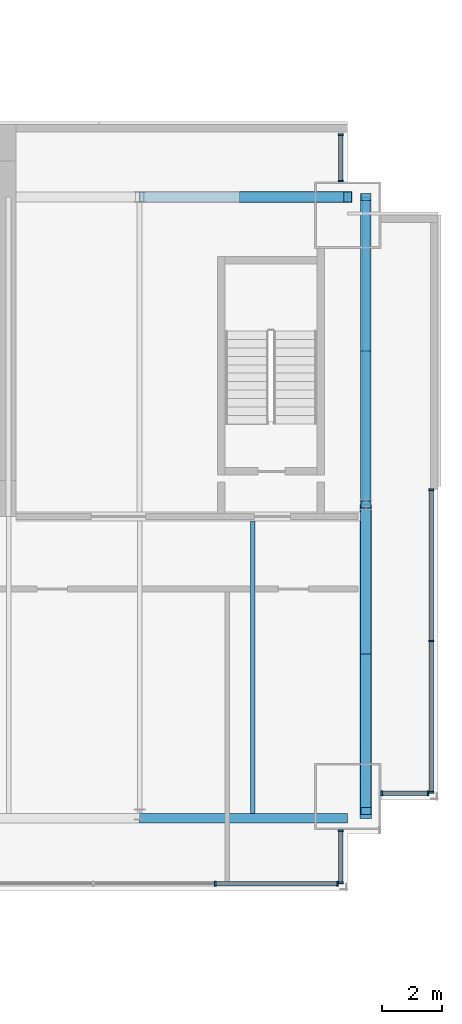
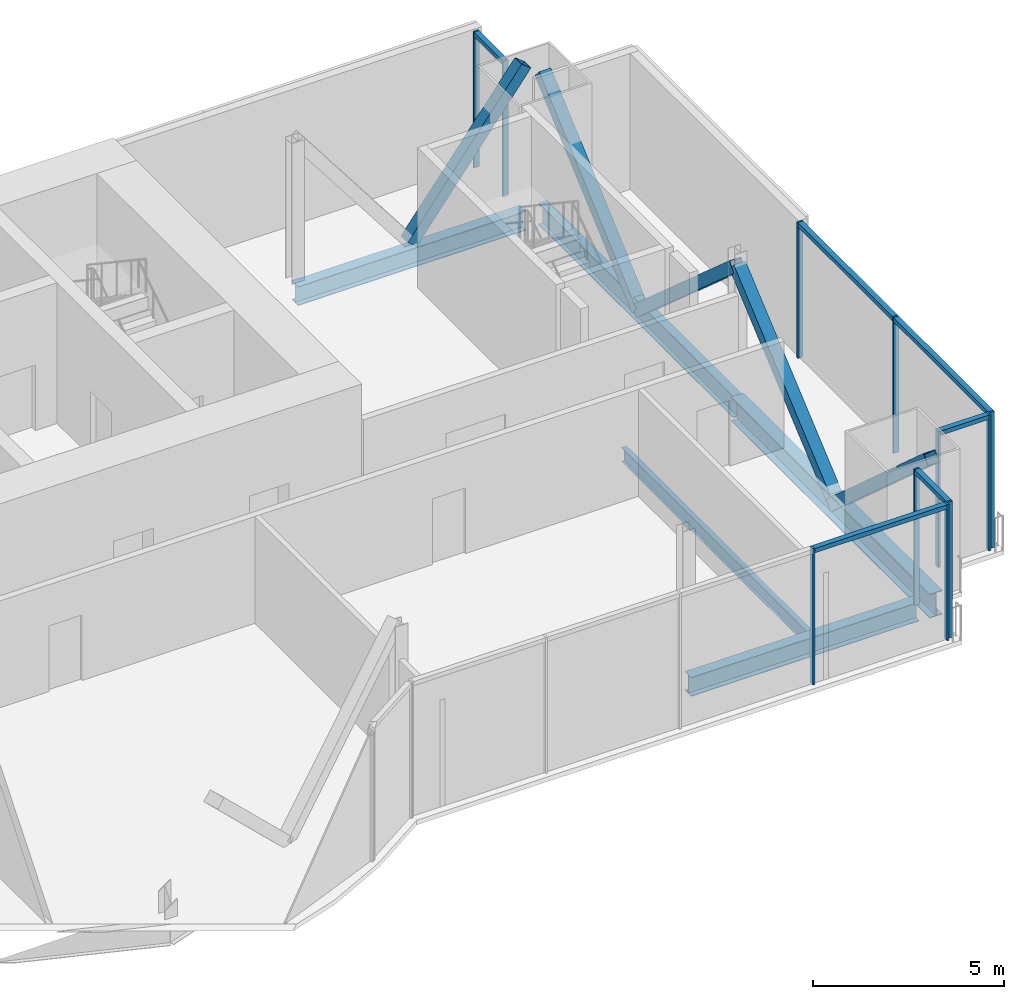
# One storey, part 8 of 16: 22 members, 5 beams, 5 elements without a shape of their own.
"""IFC4 building model written with IfcOpenShell, lengths in metres."""

from ifc_helpers import new_model, si_unit, direction, frame, origin, origin_2d, place, context, subcontext, project, spatial, rectangle, hollow_rectangle, i_section, extrude, material, material_profile, profile_set, type_object, element, aggregate, save


model = new_model("IFC4")

# Units and contexts
model_context = context("Model", 3, precision=1e-05, world=origin(), true_north=direction((0.0, 1.0)))
body_context = subcontext(model_context, "Body", "Model", "MODEL_VIEW")
ifc_project = project(units=[si_unit("LENGTHUNIT", "METRE"), si_unit("AREAUNIT", "SQUARE_METRE"), si_unit("VOLUMEUNIT", "CUBIC_METRE"), si_unit("PLANEANGLEUNIT", "RADIAN"), si_unit("MASSUNIT", "GRAM", prefix="KILO")], contexts=[model_context])

# Site, building, storey
site_placement = place(None, origin())
site = spatial("IfcSite", under=ifc_project, at=site_placement, CompositionType="ELEMENT")
building_placement = place(site_placement, origin())
building = spatial("IfcBuilding", under=site, at=building_placement, Name="Bicima Exchange Tower", CompositionType="ELEMENT")
storey_placement = place(building_placement, frame((0.0, 0.0, 329.0)))
storey = spatial("IfcBuildingStorey", under=building, at=storey_placement, Name="L74", CompositionType="ELEMENT", Elevation=329.0)

# Curtain wall, members
ifc_material_1 = material(Name="Anodised bronze aluminium", Category="aluminium")
curtain_wall_type_1 = type_object("IfcCurtainWallType", Name="End face glass wall", PredefinedType="NOTDEFINED", material=ifc_material_1)
curtain_wall_1_placement = place(storey_placement, origin())
curtain_wall_1 = element("IfcCurtainWall", 1, at=curtain_wall_1_placement, inside=storey, type_object=curtain_wall_type_1, Name="End face glass wall L74 run 19", PredefinedType="NOTDEFINED")
ifc_material_profile_1 = material_profile(ifc_material_1, rectangle(XDim=0.159912109375, YDim=0.06005859375, at=origin_2d()))
ifc_profile_set_1 = profile_set([ifc_material_profile_1], Name="Anodised bronze aluminium")
member_type_1 = type_object("IfcMemberType", Name="End face glass wall mullion 60 x 160", PredefinedType="MULLION", material=ifc_profile_set_1)
member_1_placement = place(storey_placement, frame((35.77001953125, -22.14794921875, 0.0), z_axis=(0.0, 0.0, 1.0), x_axis=(-1.0, 0.0, 0.0)))
member_1 = element("IfcMember", 2, at=member_1_placement, type_object=member_type_1, Name="End face glass wall mullion 1", PredefinedType="MULLION", context=body_context, shape_type="SweptSolid", body=[
    extrude(rectangle(XDim=0.159912109375, YDim=0.06005859375, at=origin_2d()), origin(), (0.0, 0.0, 1.0), 4.35009765625),
])
member_2_placement = place(storey_placement, frame((35.77001953125, -17.12890625, 0.0), z_axis=(0.0, 0.0, 1.0), x_axis=(-1.0, 0.0, 0.0)))
member_2 = element("IfcMember", 3, at=member_2_placement, type_object=member_type_1, Name="End face glass wall mullion 2", PredefinedType="MULLION", context=body_context, shape_type="SweptSolid", body=[
    extrude(rectangle(XDim=0.159912109375, YDim=0.06005859375, at=origin_2d()), origin(), (0.0, 0.0, 1.0), 4.35009765625),
])
member_3_placement = place(storey_placement, frame((35.77001953125, -12.110107421875, 0.0), z_axis=(0.0, 0.0, 1.0), x_axis=(-1.0, 0.0, 0.0)))
member_3 = element("IfcMember", 4, at=member_3_placement, type_object=member_type_1, Name="End face glass wall mullion 3", PredefinedType="MULLION", context=body_context, shape_type="SweptSolid", body=[
    extrude(rectangle(XDim=0.159912109375, YDim=0.06005859375, at=origin_2d()), origin(), (0.0, 0.0, 1.0), 4.35009765625),
])
ifc_material_profile_2 = material_profile(ifc_material_1, rectangle(XDim=0.159912109375, YDim=0.139892578125, at=origin_2d()))
ifc_profile_set_2 = profile_set([ifc_material_profile_2], Name="Anodised bronze aluminium")
member_type_2 = type_object("IfcMemberType", Name="End face glass wall transom 140 x 160", PredefinedType="USERDEFINED", material=ifc_profile_set_2)
member_4_placement = place(storey_placement, frame((35.77001953125, -22.117919921875, 4.280029296875), z_axis=(0.0, 1.0, 0.0), x_axis=(-1.0, 0.0, 0.0)))
member_4 = element("IfcMember", 5, at=member_4_placement, type_object=member_type_2, Name="End face glass wall transom 1.1", ObjectType="TRANSOM", PredefinedType="USERDEFINED", context=body_context, shape_type="SweptSolid", body=[
    extrude(rectangle(XDim=0.159912109375, YDim=0.139892578125, at=origin_2d()), origin(), (0.0, 0.0, 1.0), 4.958984375),
])
member_5_placement = place(storey_placement, frame((35.77001953125, -17.09912109375, 4.280029296875), z_axis=(0.0, 1.0, 0.0), x_axis=(-1.0, 0.0, 0.0)))
member_5 = element("IfcMember", 6, at=member_5_placement, type_object=member_type_2, Name="End face glass wall transom 2.1", ObjectType="TRANSOM", PredefinedType="USERDEFINED", context=body_context, shape_type="SweptSolid", body=[
    extrude(rectangle(XDim=0.159912109375, YDim=0.139892578125, at=origin_2d()), origin(), (0.0, 0.0, 1.0), 4.959228515625),
])
aggregate(curtain_wall_1, [member_1, member_2, member_3, member_4, member_5])

# Beams
ifc_material_2 = material(Name="Steel ASTM A992 Gr 50", Category="steel")
ifc_material_profile_3 = material_profile(ifc_material_2, i_section(OverallWidth=0.256591796875, OverallDepth=0.693359375, WebThickness=0.014404296875, FlangeThickness=0.023681640625, at=origin_2d()))
ifc_profile_set_3 = profile_set([ifc_material_profile_3], Name="Steel ASTM A992 Gr 50")
beam_type_1 = type_object("IfcBeamType", Name="End girder W27x114", PredefinedType="BEAM", material=ifc_profile_set_3)
beam_1_placement = place(storey_placement, frame((33.60009765625, -2.39990234375, -0.49658203125), z_axis=(0.0, -1.0, 0.0), x_axis=(1.0, 0.0, 0.0)))
element("IfcBeam", 7, at=beam_1_placement, inside=storey, type_object=beam_type_1, Name="End girder", PredefinedType="BEAM", context=body_context, shape_type="SweptSolid", body=[
    extrude(i_section(OverallWidth=0.256591796875, OverallDepth=0.693359375, WebThickness=0.014404296875, FlangeThickness=0.023681640625, at=origin_2d()), origin(), (0.0, 0.0, 1.0), 10.2001953125),
])
ifc_material_profile_4 = material_profile(ifc_material_2, i_section(OverallWidth=0.381103515625, OverallDepth=0.772216796875, WebThickness=0.0166015625, FlangeThickness=0.027099609375, at=origin_2d()))
ifc_profile_set_4 = profile_set([ifc_material_profile_4], Name="Steel ASTM A992 Gr 50")
beam_type_2 = type_object("IfcBeamType", Name="End girder W30x173", PredefinedType="BEAM", material=ifc_profile_set_4)
beam_2_placement = place(storey_placement, frame((33.60009765625, -12.60009765625, -0.5361328125), z_axis=(0.0, -1.0, 0.0), x_axis=(1.0, 0.0, 0.0)))
element("IfcBeam", 8, at=beam_2_placement, inside=storey, type_object=beam_type_2, Name="End girder", PredefinedType="BEAM", context=body_context, shape_type="SweptSolid", body=[
    extrude(i_section(OverallWidth=0.381103515625, OverallDepth=0.772216796875, WebThickness=0.0166015625, FlangeThickness=0.027099609375, at=origin_2d()), origin(), (0.0, 0.0, 1.0), 10.407958984375),
])
ifc_material_profile_5 = material_profile(ifc_material_2, i_section(OverallWidth=0.15283203125, OverallDepth=0.45458984375, WebThickness=0.008056640625, FlangeThickness=0.013427734375, at=origin_2d()))
ifc_profile_set_5 = profile_set([ifc_material_profile_5], Name="Steel ASTM A992 Gr 50")
beam_type_3 = type_object("IfcBeamType", Name="Floor beam W18x40", PredefinedType="JOIST", material=ifc_profile_set_5)
beam_3_placement = place(storey_placement, frame((29.85009765625, -13.15234375, -0.377197265625), z_axis=(0.0, -1.0, 0.0), x_axis=(1.0, 0.0, 0.0)))
element("IfcBeam", 9, at=beam_3_placement, inside=storey, type_object=beam_type_3, Name="Floor beam", PredefinedType="JOIST", context=body_context, shape_type="SweptSolid", body=[
    extrude(i_section(OverallWidth=0.15283203125, OverallDepth=0.45458984375, WebThickness=0.008056640625, FlangeThickness=0.013427734375, at=origin_2d()), origin(), (0.0, 0.0, 1.0), 9.693115234375),
])
ifc_material_profile_6 = material_profile(ifc_material_2, i_section(OverallWidth=0.3251953125, OverallDepth=0.612060546875, WebThickness=0.0126953125, FlangeThickness=0.01904296875, at=origin_2d()))
ifc_profile_set_6 = profile_set([ifc_material_profile_6], Name="Steel ASTM A992 Gr 50")
beam_type_4 = type_object("IfcBeamType", Name="Front girder W24x104", PredefinedType="BEAM", material=ifc_profile_set_6)
beam_4_placement = place(storey_placement, frame((26.10009765625, -23.008056640625, -0.4560546875), z_axis=(1.0, 0.0, 0.0), x_axis=(0.0, 1.0, 0.0)))
element("IfcBeam", 10, at=beam_4_placement, inside=storey, type_object=beam_type_4, Name="Front girder", PredefinedType="BEAM", context=body_context, shape_type="SweptSolid", body=[
    extrude(i_section(OverallWidth=0.3251953125, OverallDepth=0.612060546875, WebThickness=0.0126953125, FlangeThickness=0.01904296875, at=origin_2d()), origin(), (0.0, 0.0, 1.0), 6.89990234375),
])

# Curtain wall, members
curtain_wall_type_2 = type_object("IfcCurtainWallType", Name="Front glass wall", PredefinedType="NOTDEFINED", material=ifc_material_1)
curtain_wall_2_placement = place(storey_placement, origin())
curtain_wall_2 = element("IfcCurtainWall", 11, at=curtain_wall_2_placement, inside=storey, type_object=curtain_wall_type_2, Name="Front glass wall L74 run 16", PredefinedType="NOTDEFINED")
member_type_3 = type_object("IfcMemberType", Name="Front glass wall mullion 60 x 160", PredefinedType="MULLION", material=ifc_profile_set_1)
member_6_placement = place(storey_placement, frame((28.610595703125, -25.177978515625, 0.0), z_axis=(0.0, 0.0, 1.0), x_axis=(0.0, 1.0, 0.0)))
member_6 = element("IfcMember", 12, at=member_6_placement, type_object=member_type_3, Name="Front glass wall mullion 4", PredefinedType="MULLION", context=body_context, shape_type="SweptSolid", body=[
    extrude(rectangle(XDim=0.159912109375, YDim=0.06005859375, at=origin_2d()), origin(), (0.0, 0.0, 1.0), 4.35009765625),
])
member_7_placement = place(storey_placement, frame((32.659912109375, -25.177978515625, 0.0), z_axis=(0.0, 0.0, 1.0), x_axis=(0.0, 1.0, 0.0)))
member_7 = element("IfcMember", 13, at=member_7_placement, type_object=member_type_3, Name="Front glass wall mullion 5", PredefinedType="MULLION", context=body_context, shape_type="SweptSolid", body=[
    extrude(rectangle(XDim=0.159912109375, YDim=0.06005859375, at=origin_2d()), origin(), (0.0, 0.0, 1.0), 4.35009765625),
])

curtain_wall_3_placement = place(storey_placement, origin())
curtain_wall_3 = element("IfcCurtainWall", 14, at=curtain_wall_3_placement, inside=storey, type_object=curtain_wall_type_2, Name="Front glass wall L74 run 17", PredefinedType="NOTDEFINED")
member_8_placement = place(storey_placement, frame((32.77001953125, -25.14794921875, 0.0), z_axis=(0.0, 0.0, 1.0), x_axis=(-1.0, 0.0, 0.0)))
member_8 = element("IfcMember", 15, at=member_8_placement, type_object=member_type_3, Name="Front glass wall mullion 1", PredefinedType="MULLION", context=body_context, shape_type="SweptSolid", body=[
    extrude(rectangle(XDim=0.159912109375, YDim=0.06005859375, at=origin_2d()), origin(), (0.0, 0.0, 1.0), 4.35009765625),
])
member_9_placement = place(storey_placement, frame((32.77001953125, -23.416015625, 0.0), z_axis=(0.0, 0.0, 1.0), x_axis=(-1.0, 0.0, 0.0)))
member_9 = element("IfcMember", 16, at=member_9_placement, type_object=member_type_3, Name="Front glass wall mullion 2", PredefinedType="MULLION", context=body_context, shape_type="SweptSolid", body=[
    extrude(rectangle(XDim=0.159912109375, YDim=0.06005859375, at=origin_2d()), origin(), (0.0, 0.0, 1.0), 4.35009765625),
])

curtain_wall_4_placement = place(storey_placement, origin())
curtain_wall_4 = element("IfcCurtainWall", 17, at=curtain_wall_4_placement, inside=storey, type_object=curtain_wall_type_2, Name="Front glass wall L74 run 18", PredefinedType="NOTDEFINED")
member_10_placement = place(storey_placement, frame((34.1298828125, -22.177978515625, 0.0), z_axis=(0.0, 0.0, 1.0), x_axis=(0.0, 1.0, 0.0)))
member_10 = element("IfcMember", 18, at=member_10_placement, type_object=member_type_3, Name="Front glass wall mullion 1", PredefinedType="MULLION", context=body_context, shape_type="SweptSolid", body=[
    extrude(rectangle(XDim=0.159912109375, YDim=0.06005859375, at=origin_2d()), origin(), (0.0, 0.0, 1.0), 4.35009765625),
])
member_11_placement = place(storey_placement, frame((35.659912109375, -22.177978515625, 0.0), z_axis=(0.0, 0.0, 1.0), x_axis=(0.0, 1.0, 0.0)))
member_11 = element("IfcMember", 19, at=member_11_placement, type_object=member_type_3, Name="Front glass wall mullion 2", PredefinedType="MULLION", context=body_context, shape_type="SweptSolid", body=[
    extrude(rectangle(XDim=0.159912109375, YDim=0.06005859375, at=origin_2d()), origin(), (0.0, 0.0, 1.0), 4.35009765625),
])

curtain_wall_5_placement = place(storey_placement, origin())
curtain_wall_5 = element("IfcCurtainWall", 20, at=curtain_wall_5_placement, inside=storey, type_object=curtain_wall_type_2, Name="Front glass wall L74 run 20", PredefinedType="NOTDEFINED")
member_12_placement = place(storey_placement, frame((32.77001953125, -1.8701171875, 0.0), z_axis=(0.0, 0.0, 1.0), x_axis=(-1.0, 0.0, 0.0)))
member_12 = element("IfcMember", 21, at=member_12_placement, type_object=member_type_3, Name="Front glass wall mullion 1", PredefinedType="MULLION", context=body_context, shape_type="SweptSolid", body=[
    extrude(rectangle(XDim=0.159912109375, YDim=0.06005859375, at=origin_2d()), origin(), (0.0, 0.0, 1.0), 4.35009765625),
])
member_13_placement = place(storey_placement, frame((32.77001953125, -0.340087890625, 0.0), z_axis=(0.0, 0.0, 1.0), x_axis=(-1.0, 0.0, 0.0)))
member_13 = element("IfcMember", 22, at=member_13_placement, type_object=member_type_3, Name="Front glass wall mullion 2", PredefinedType="MULLION", context=body_context, shape_type="SweptSolid", body=[
    extrude(rectangle(XDim=0.159912109375, YDim=0.06005859375, at=origin_2d()), origin(), (0.0, 0.0, 1.0), 4.35009765625),
])

# Member
member_type_4 = type_object("IfcMemberType", Name="Front glass wall transom 140 x 160", PredefinedType="USERDEFINED", material=ifc_profile_set_2)
member_14_placement = place(storey_placement, frame((28.640380859375, -25.177978515625, 4.280029296875), z_axis=(1.0, 0.0, 0.0), x_axis=(0.0, 1.0, 0.0)))
member_14 = element("IfcMember", 23, at=member_14_placement, type_object=member_type_4, Name="Front glass wall transom 4.1", ObjectType="TRANSOM", PredefinedType="USERDEFINED", context=body_context, shape_type="SweptSolid", body=[
    extrude(rectangle(XDim=0.159912109375, YDim=0.139892578125, at=origin_2d()), origin(), (0.0, 0.0, 1.0), 3.989501953125),
])

aggregate(curtain_wall_2, [member_6, member_7, member_14])

member_15_placement = place(storey_placement, frame((32.77001953125, -25.117919921875, 4.280029296875), z_axis=(0.0, 1.0, 0.0), x_axis=(-1.0, 0.0, 0.0)))
member_15 = element("IfcMember", 24, at=member_15_placement, type_object=member_type_4, Name="Front glass wall transom 1.1", ObjectType="TRANSOM", PredefinedType="USERDEFINED", context=body_context, shape_type="SweptSolid", body=[
    extrude(rectangle(XDim=0.159912109375, YDim=0.139892578125, at=origin_2d()), origin(), (0.0, 0.0, 1.0), 1.671875),
])

aggregate(curtain_wall_3, [member_8, member_9, member_15])

member_16_placement = place(storey_placement, frame((34.159912109375, -22.177978515625, 4.280029296875), z_axis=(1.0, 0.0, 0.0), x_axis=(0.0, 1.0, 0.0)))
member_16 = element("IfcMember", 25, at=member_16_placement, type_object=member_type_4, Name="Front glass wall transom 1.1", ObjectType="TRANSOM", PredefinedType="USERDEFINED", context=body_context, shape_type="SweptSolid", body=[
    extrude(rectangle(XDim=0.159912109375, YDim=0.139892578125, at=origin_2d()), origin(), (0.0, 0.0, 1.0), 1.469970703125),
])

aggregate(curtain_wall_4, [member_10, member_11, member_16])

member_17_placement = place(storey_placement, frame((32.77001953125, -1.840087890625, 4.280029296875), z_axis=(0.0, 1.0, 0.0), x_axis=(-1.0, 0.0, 0.0)))
member_17 = element("IfcMember", 26, at=member_17_placement, type_object=member_type_4, Name="Front glass wall transom 1.1", ObjectType="TRANSOM", PredefinedType="USERDEFINED", context=body_context, shape_type="SweptSolid", body=[
    extrude(rectangle(XDim=0.159912109375, YDim=0.139892578125, at=origin_2d()), origin(), (0.0, 0.0, 1.0), 1.469970703125),
])

aggregate(curtain_wall_5, [member_12, member_13, member_17])

# Members
ifc_material_3 = material(Name="Steel ASTM A572 Gr 50", Category="steel")
ifc_material_profile_7 = material_profile(ifc_material_3, hollow_rectangle(XDim=0.355712890625, YDim=0.355712890625, WallThickness=0.01171875, at=origin_2d()))
ifc_profile_set_7 = profile_set([ifc_material_profile_7], Name="Steel ASTM A572 Gr 50")
member_type_5 = type_object("IfcMemberType", Name="Mega brace HSS14x14x1/2", PredefinedType="BRACE", material=ifc_profile_set_7)
member_18_placement = place(storey_placement, frame((29.550048828125, -2.39990234375, 0.0), z_axis=(0.608426120198, 0.0, 0.793610519248), x_axis=(0.0, 1.0, 0.0)))
element("IfcMember", 27, at=member_18_placement, inside=storey, type_object=member_type_5, Name="Mega brace rear", PredefinedType="BRACE", context=body_context, shape_type="SweptSolid", body=[
    extrude(hollow_rectangle(XDim=0.355712890625, YDim=0.355712890625, WallThickness=0.01171875, at=origin_2d()), origin(), (0.0, 0.0, 1.0), 5.670166015625),
])
for number, where, z_axis, x_axis, name in (
    (28, (33.60009765625, -7.5, -0.49658203125), (0.0, -0.749844140428, 0.661614513948), (1.0, 0.0, 0.0), "Mega brace east end"),
    (29, (33.60009765625, -7.5, -0.49658203125), (0.0, 0.749844140428, 0.661614513948), (-1.0, 0.0, 0.0), "Mega brace east end"),
):
    element("IfcMember", number, at=place(storey_placement, frame(where, z_axis=z_axis, x_axis=x_axis)), inside=storey, type_object=member_type_5, Name=name, PredefinedType="BRACE", context=body_context, shape_type="SweptSolid", body=[
        extrude(hollow_rectangle(XDim=0.355712890625, YDim=0.355712890625, WallThickness=0.01171875, at=origin_2d()), origin(), (0.0, 0.0, 1.0), 6.801513671875),
    ])
member_19_placement = place(storey_placement, frame((33.60009765625, -17.681884765625, -0.5361328125), z_axis=(0.0, -0.745790162236, 0.666180931813), x_axis=(1.0, 0.0, 0.0)))
element("IfcMember", 30, at=member_19_placement, inside=storey, type_object=member_type_5, Name="Mega brace east end", PredefinedType="BRACE", context=body_context, shape_type="SweptSolid", body=[
    extrude(hollow_rectangle(XDim=0.355712890625, YDim=0.355712890625, WallThickness=0.01171875, at=origin_2d()), origin(), (0.0, 0.0, 1.0), 6.814208984375),
])
member_20_placement = place(storey_placement, frame((33.60009765625, -17.926025390625, -0.5361328125), z_axis=(0.0, 0.761056313036, 0.648685816392), x_axis=(-1.0, 0.0, 0.0)))
element("IfcMember", 31, at=member_20_placement, inside=storey, type_object=member_type_5, Name="Mega brace east end", PredefinedType="BRACE", context=body_context, shape_type="SweptSolid", body=[
    extrude(hollow_rectangle(XDim=0.355712890625, YDim=0.355712890625, WallThickness=0.01171875, at=origin_2d()), origin(), (0.0, 0.0, 1.0), 6.998046875),
])

# Beam
beam_type_5 = type_object("IfcBeamType", Name="Rear girder W24x104", PredefinedType="BEAM", material=ifc_profile_set_6)
beam_5_placement = place(storey_placement, frame((26.10009765625, -2.39990234375, -0.4560546875), z_axis=(1.0, 0.0, 0.0), x_axis=(0.0, 1.0, 0.0)))
element("IfcBeam", 32, at=beam_5_placement, inside=storey, type_object=beam_type_5, Name="Rear girder", PredefinedType="BEAM", context=body_context, shape_type="SweptSolid", body=[
    extrude(i_section(OverallWidth=0.3251953125, OverallDepth=0.612060546875, WebThickness=0.0126953125, FlangeThickness=0.01904296875, at=origin_2d()), origin(), (0.0, 0.0, 1.0), 6.89990234375),
])

save(model, "model.ifc")
